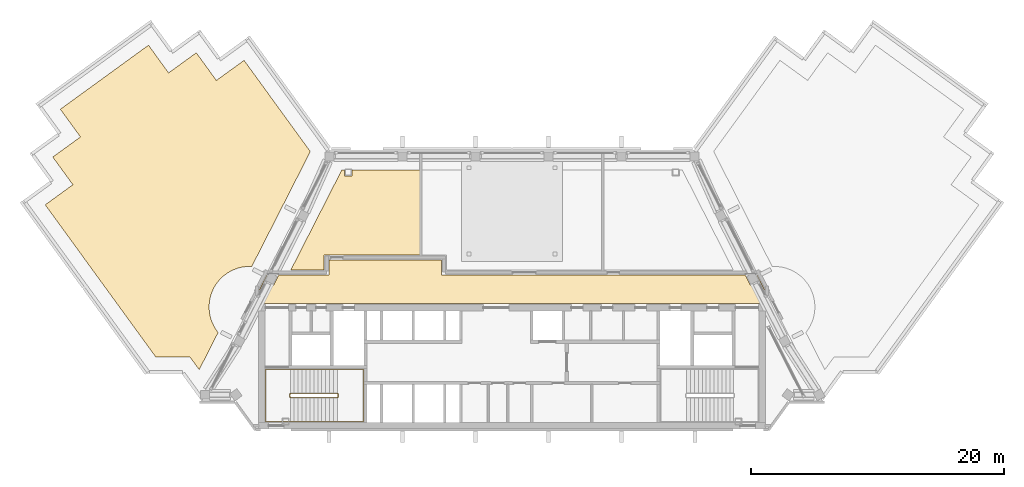
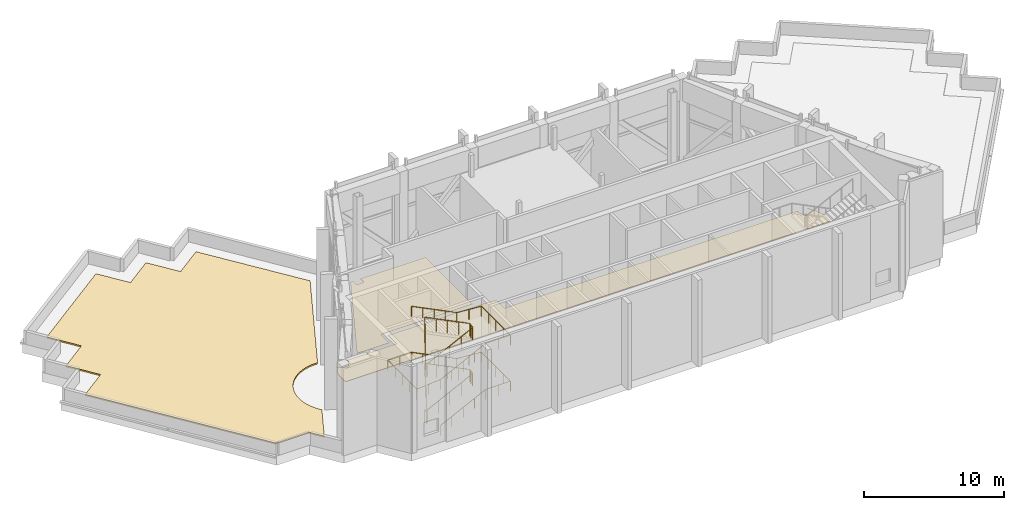
# One storey, part 12 of 14: 3 coverings, 2 railings.
"""IFC4 building model written with IfcOpenShell, lengths in metres."""

from ifc_helpers import new_model, si_unit, direction, frame, origin, origin_2d, place, context, subcontext, project, spatial, polyline, circle, outline, extrude, material, layer, layer_set, type_object, element, save


model = new_model("IFC4")

# Units and contexts
model_context = context("Model", 3, precision=1e-05, world=origin(), true_north=direction((0.0, 1.0)))
body_context = subcontext(model_context, "Body", "Model", "MODEL_VIEW")
ifc_project = project(units=[si_unit("LENGTHUNIT", "METRE"), si_unit("AREAUNIT", "SQUARE_METRE"), si_unit("VOLUMEUNIT", "CUBIC_METRE"), si_unit("PLANEANGLEUNIT", "RADIAN"), si_unit("MASSUNIT", "GRAM", prefix="KILO")], contexts=[model_context])

# Site, building, storey
site_placement = place(None, origin())
site = spatial("IfcSite", under=ifc_project, at=site_placement, CompositionType="ELEMENT")
building_placement = place(site_placement, origin())
building = spatial("IfcBuilding", under=site, at=building_placement, Name="Quipu Civic Tower", CompositionType="ELEMENT")
storey_placement = place(building_placement, frame((0.0, 0.0, 355.0)))
storey = spatial("IfcBuildingStorey", under=building, at=storey_placement, Name="L83", CompositionType="ELEMENT", Elevation=355.0)

# Coverings
ifc_material_1 = material(Name="Carpet tile on raised access floor")
ifc_layer_1 = layer(ifc_material_1, 0.02001953125)
ifc_layer_set_1 = layer_set([ifc_layer_1], Name="Carpet tile on raised access floor")
covering_type_1 = type_object("IfcCoveringType", Name="Carpet tile floor finish 20", PredefinedType="FLOORING", material=ifc_layer_set_1)
covering_1_placement = place(storey_placement, origin())
element("IfcCovering", 1, at=covering_1_placement, inside=storey, type_object=covering_type_1, Name="Carpet tile floor finish 20", PredefinedType="FLOORING", context=body_context, shape_type="SweptSolid", body=[
    extrude(outline(polyline([(-17.464111328125, 1.52001953125), (-13.43310546875, 9.429931640625), (-13.219970703125, 9.429931640625), (-13.219970703125, 8.989013671875), (-13.219970703125, 8.98388671875), (-13.218994140625, 8.97900390625), (-13.218017578125, 8.97412109375), (-13.216064453125, 8.969970703125), (-13.214111328125, 8.965087890625), (-13.2119140625, 8.9609375), (-13.208984375, 8.95703125), (-13.205078125, 8.952880859375), (-13.201904296875, 8.949951171875), (-13.197998046875, 8.947021484375), (-13.194091796875, 8.945068359375), (-13.18896484375, 8.943115234375), (-13.18408203125, 8.94091796875), (-13.179931640625, 8.93994140625), (-13.175048828125, 8.93896484375), (-13.169921875, 8.93896484375), (-12.662109375, 8.93896484375), (-12.656982421875, 8.93896484375), (-12.652099609375, 8.93994140625), (-12.64697265625, 8.94091796875), (-12.64306640625, 8.943115234375), (-12.637939453125, 8.945068359375), (-12.634033203125, 8.947021484375), (-12.6298828125, 8.949951171875), (-12.626953125, 8.952880859375), (-12.623046875, 8.95703125), (-12.6201171875, 8.9609375), (-12.617919921875, 8.965087890625), (-12.615966796875, 8.969970703125), (-12.614013671875, 8.97412109375), (-12.613037109375, 8.97900390625), (-12.612060546875, 8.98388671875), (-12.612060546875, 8.989013671875), (-12.612060546875, 9.429931640625), (-7.26806640625, 9.429931640625), (-7.26806640625, 2.719970703125), (-14.818115234375, 2.719970703125), (-14.820068359375, 1.52001953125), (-17.464111328125, 1.52001953125)])), origin(), (0.0, 0.0, 1.0), 0.02001953125),
])
ifc_material_2 = material(Name="Roof membrane and gravel ballast")
ifc_layer_2 = layer(ifc_material_2, 0.1201171875)
ifc_layer_set_2 = layer_set([ifc_layer_2], Name="Roof membrane and gravel ballast")
covering_type_2 = type_object("IfcCoveringType", Name="Roof membrane and ballast build-up", PredefinedType="ROOFING", material=ifc_layer_set_2)
covering_2_placement = place(storey_placement, origin())
element("IfcCovering", 2, at=covering_2_placement, inside=storey, type_object=covering_type_2, Name="Roof build-up L83 1", PredefinedType="ROOFING", context=body_context, shape_type="SweptSolid", body=[
    extrude(outline(polyline([(-28.116455078125, -5.331298828125), (-36.840576171875, 6.676513671875), (-34.65625, 8.263427734375), (-36.243408203125, 10.44775390625), (-34.058837890625, 12.034912109375), (-35.64599609375, 14.21923828125), (-28.6884765625, 19.274169921875), (-27.101318359375, 17.08984375), (-24.9169921875, 18.6767578125), (-23.330078125, 16.492431640625), (-21.1455078125, 18.07958984375), (-15.915283203125, 10.88037109375), (-20.538330078125, 1.806884765625), (-20.7060546875, 1.81494140625), (-21.019775390625, 1.799560546875), (-21.330322265625, 1.75341796875), (-21.635009765625, 1.67724609375), (-21.9306640625, 1.5712890625), (-22.214599609375, 1.43701171875), (-22.48388671875, 1.275634765625), (-22.736083984375, 1.088623046875), (-22.96875, 0.877685546875), (-23.1796875, 0.64501953125), (-23.36669921875, 0.392822265625), (-23.528076171875, 0.12353515625), (-23.662353515625, -0.160400390625), (-23.768310546875, -0.4560546875), (-23.844482421875, -0.7607421875), (-23.890625, -1.0712890625), (-23.906005859375, -1.385009765625), (-23.890625, -1.69873046875), (-23.844482421875, -2.00927734375), (-23.768310546875, -2.31396484375), (-23.662353515625, -2.609619140625), (-23.528076171875, -2.8935546875), (-23.36669921875, -3.162841796875), (-23.191162109375, -3.3994140625), (-24.68701171875, -6.335205078125), (-25.41650390625, -5.331298828125), (-28.116455078125, -5.331298828125)])), origin(), (0.0, 0.0, 1.0), 0.1201171875),
])

# Railings
ifc_material_3 = material(Name="Stainless steel", Category="steel")
railing_type_1 = type_object("IfcRailingType", Name="Stair guard 1100", PredefinedType="GUARDRAIL", material=ifc_material_3)
railing_1_placement = place(storey_placement, frame((-17.5, -8.550048828125, 0.15380859375)))
element("IfcRailing", 3, at=railing_1_placement, inside=storey, type_object=railing_type_1, Name="Stair 1 guard", PredefinedType="GUARDRAIL", context=body_context, shape_type="SweptSolid", body=[
    extrude(circle(Radius=0.02392578125, at=origin_2d()), frame((0.0, 0.0, 1.076171875), z_axis=(0.895751851347, 0.0, 0.444554407028), x_axis=(0.0, 1.0, 0.0)), (0.0, 0.0, 1.0), 4.15283203125),
    extrude(circle(Radius=0.02392578125, at=origin_2d()), frame((3.719970703125, 0.0, 2.92236328125), z_axis=(0.707106781187, 0.707106781187, 0.0), x_axis=(-0.707106781187, 0.707106781187, 0.0)), (0.0, 0.0, 1.0), 0.07080078125),
    extrude(circle(Radius=0.02392578125, at=origin_2d()), frame((3.77001953125, 0.050048828125, 2.92236328125), z_axis=(0.0, 1.0, 0.0), x_axis=(-1.0, 0.0, 0.0)), (0.0, 0.0, 1.0), 0.25),
    extrude(circle(Radius=0.02392578125, at=origin_2d()), frame((3.77001953125, 0.300048828125, 2.92236328125), z_axis=(-0.295599637079, 0.295599637079, 0.908428152975), x_axis=(-0.707106781187, -0.707106781187, 0.0)), (0.0, 0.0, 1.0), 0.16943359375),
    extrude(circle(Radius=0.02392578125, at=origin_2d()), frame((3.719970703125, 0.35009765625, 3.076171875), z_axis=(-0.895751851347, 0.0, 0.444554407028), x_axis=(0.0, -1.0, 0.0)), (0.0, 0.0, 1.0), 4.15283203125),
    extrude(circle(Radius=0.02392578125, at=origin_2d()), frame((0.0, 0.35009765625, 4.92236328125), z_axis=(-0.164529134168, -0.986372223864, 0.0), x_axis=(0.986372223864, -0.164529134168, 0.0)), (0.0, 0.0, 1.0), 0.30419921875),
    extrude(circle(Radius=0.02392578125, at=origin_2d()), frame((-0.050048828125, 0.050048828125, 4.92236328125), z_axis=(0.0, 1.0, 0.0), x_axis=(-1.0, 0.0, 0.0)), (0.0, 0.0, 1.0), 0.25),
    extrude(circle(Radius=0.02392578125, at=origin_2d()), frame((-0.050048828125, 0.300048828125, 4.92236328125), z_axis=(0.146827419986, -0.880248288601, 0.451225729714), x_axis=(0.986372223864, 0.164529134168, 0.0)), (0.0, 0.0, 1.0), 0.3408203125),
    extrude(circle(Radius=0.02392578125, at=origin_2d()), frame((0.0, 0.0, 5.076171875), z_axis=(0.895751851347, 0.0, 0.444554407028), x_axis=(0.0, 1.0, 0.0)), (0.0, 0.0, 1.0), 4.15283203125),
    extrude(circle(Radius=0.02392578125, at=origin_2d()), frame((3.719970703125, 0.0, 6.92236328125), z_axis=(0.707106781187, 0.707106781187, 0.0), x_axis=(-0.707106781187, 0.707106781187, 0.0)), (0.0, 0.0, 1.0), 0.07080078125),
    extrude(circle(Radius=0.02392578125, at=origin_2d()), frame((3.77001953125, 0.050048828125, 6.92236328125), z_axis=(0.0, 1.0, 0.0), x_axis=(-1.0, 0.0, 0.0)), (0.0, 0.0, 1.0), 0.25),
    extrude(circle(Radius=0.02392578125, at=origin_2d()), frame((3.77001953125, 0.300048828125, 6.92236328125), z_axis=(-0.295599637079, 0.295599637079, 0.908428152975), x_axis=(-0.707106781187, -0.707106781187, 0.0)), (0.0, 0.0, 1.0), 0.16943359375),
    extrude(circle(Radius=0.02392578125, at=origin_2d()), frame((3.719970703125, 0.35009765625, 7.076171875), z_axis=(-0.895751851347, 0.0, 0.444554407028), x_axis=(0.0, -1.0, 0.0)), (0.0, 0.0, 1.0), 4.15283203125),
    extrude(circle(Radius=0.02392578125, at=origin_2d()), frame((0.0, 0.35009765625, 8.92236328125), z_axis=(-0.006251585731, -0.037479018846, -0.999277859668), x_axis=(0.986372223864, -0.164529134168, 0.0)), (0.0, 0.0, 1.0), 8.005859375),
    extrude(circle(Radius=0.02392578125, at=origin_2d()), frame((-0.050048828125, 0.050048828125, 0.92236328125), z_axis=(0.0, 1.0, 0.0), x_axis=(-1.0, 0.0, 0.0)), (0.0, 0.0, 1.0), 0.25),
    extrude(circle(Radius=0.02099609375, at=origin_2d()), origin(), (0.0, 0.0, 1.0), 1.052001953125),
    extrude(circle(Radius=0.02099609375, at=origin_2d()), frame((0.929931640625, 0.0, 0.46142578125)), (0.0, 0.0, 1.0), 1.052001953125),
    extrude(circle(Radius=0.02099609375, at=origin_2d()), frame((1.85986328125, 0.0, 0.923095703125)), (0.0, 0.0, 1.0), 1.052001953125),
    extrude(circle(Radius=0.02099609375, at=origin_2d()), frame((2.7900390625, 0.0, 1.384765625)), (0.0, 0.0, 1.0), 1.052001953125),
    extrude(circle(Radius=0.02099609375, at=origin_2d()), frame((3.719970703125, 0.0, 1.84619140625)), (0.0, 0.0, 1.0), 1.052001953125),
    extrude(circle(Radius=0.02099609375, at=origin_2d()), frame((3.77001953125, 0.050048828125, 1.84619140625)), (0.0, 0.0, 1.0), 1.052001953125),
    extrude(circle(Radius=0.02099609375, at=origin_2d()), frame((3.77001953125, 0.300048828125, 1.84619140625)), (0.0, 0.0, 1.0), 1.052001953125),
    extrude(circle(Radius=0.02099609375, at=origin_2d()), frame((3.719970703125, 0.35009765625, 2.0)), (0.0, 0.0, 1.0), 1.052001953125),
    extrude(circle(Radius=0.02099609375, at=origin_2d()), frame((2.7900390625, 0.35009765625, 2.46142578125)), (0.0, 0.0, 1.0), 1.052001953125),
    extrude(circle(Radius=0.02099609375, at=origin_2d()), frame((1.85986328125, 0.35009765625, 2.923095703125)), (0.0, 0.0, 1.0), 1.052001953125),
    extrude(circle(Radius=0.02099609375, at=origin_2d()), frame((0.929931640625, 0.35009765625, 3.384765625)), (0.0, 0.0, 1.0), 1.052001953125),
    extrude(circle(Radius=0.02099609375, at=origin_2d()), frame((0.0, 0.35009765625, 3.84619140625)), (0.0, 0.0, 1.0), 1.052001953125),
    extrude(circle(Radius=0.02099609375, at=origin_2d()), frame((-0.050048828125, 0.050048828125, 3.84619140625)), (0.0, 0.0, 1.0), 1.052001953125),
    extrude(circle(Radius=0.02099609375, at=origin_2d()), frame((-0.050048828125, 0.300048828125, 3.84619140625)), (0.0, 0.0, 1.0), 1.052001953125),
    extrude(circle(Radius=0.02099609375, at=origin_2d()), frame((0.0, 0.0, 4.0)), (0.0, 0.0, 1.0), 1.052001953125),
    extrude(circle(Radius=0.02099609375, at=origin_2d()), frame((0.929931640625, 0.0, 4.46142578125)), (0.0, 0.0, 1.0), 1.052001953125),
    extrude(circle(Radius=0.02099609375, at=origin_2d()), frame((1.85986328125, 0.0, 4.923095703125)), (0.0, 0.0, 1.0), 1.052001953125),
    extrude(circle(Radius=0.02099609375, at=origin_2d()), frame((2.7900390625, 0.0, 5.384765625)), (0.0, 0.0, 1.0), 1.052001953125),
    extrude(circle(Radius=0.02099609375, at=origin_2d()), frame((3.719970703125, 0.0, 5.84619140625)), (0.0, 0.0, 1.0), 1.052001953125),
    extrude(circle(Radius=0.02099609375, at=origin_2d()), frame((3.77001953125, 0.050048828125, 5.84619140625)), (0.0, 0.0, 1.0), 1.052001953125),
    extrude(circle(Radius=0.02099609375, at=origin_2d()), frame((3.77001953125, 0.300048828125, 5.84619140625)), (0.0, 0.0, 1.0), 1.052001953125),
    extrude(circle(Radius=0.02099609375, at=origin_2d()), frame((3.719970703125, 0.35009765625, 6.0)), (0.0, 0.0, 1.0), 1.052001953125),
    extrude(circle(Radius=0.02099609375, at=origin_2d()), frame((2.7900390625, 0.35009765625, 6.46142578125)), (0.0, 0.0, 1.0), 1.052001953125),
    extrude(circle(Radius=0.02099609375, at=origin_2d()), frame((1.85986328125, 0.35009765625, 6.923095703125)), (0.0, 0.0, 1.0), 1.052001953125),
    extrude(circle(Radius=0.02099609375, at=origin_2d()), frame((0.929931640625, 0.35009765625, 7.384765625)), (0.0, 0.0, 1.0), 1.052001953125),
    extrude(circle(Radius=0.02099609375, at=origin_2d()), frame((0.0, 0.35009765625, 7.84619140625)), (0.0, 0.0, 1.0), 1.052001953125),
    extrude(circle(Radius=0.02099609375, at=origin_2d()), frame((-0.007080078125, 0.30712890625, 6.703369140625)), (0.0, 0.0, 1.0), 1.052001953125),
    extrude(circle(Radius=0.02099609375, at=origin_2d()), frame((-0.014404296875, 0.264404296875, 5.560546875)), (0.0, 0.0, 1.0), 1.052001953125),
    extrude(circle(Radius=0.02099609375, at=origin_2d()), frame((-0.021484375, 0.221435546875, 4.417724609375)), (0.0, 0.0, 1.0), 1.052001953125),
    extrude(circle(Radius=0.02099609375, at=origin_2d()), frame((-0.028564453125, 0.1787109375, 3.274658203125)), (0.0, 0.0, 1.0), 1.052001953125),
    extrude(circle(Radius=0.02099609375, at=origin_2d()), frame((-0.03564453125, 0.1357421875, 2.1318359375)), (0.0, 0.0, 1.0), 1.052001953125),
    extrude(circle(Radius=0.02099609375, at=origin_2d()), frame((-0.04296875, 0.093017578125, 0.989013671875)), (0.0, 0.0, 1.0), 1.052001953125),
    extrude(circle(Radius=0.02099609375, at=origin_2d()), frame((-0.050048828125, 0.050048828125, -0.15380859375)), (0.0, 0.0, 1.0), 1.052001953125),
    extrude(circle(Radius=0.02099609375, at=origin_2d()), frame((-0.050048828125, 0.300048828125, -0.15380859375)), (0.0, 0.0, 1.0), 1.052001953125),
])
ifc_material_4 = material(Name="Stainless steel", Category="steel")
railing_type_2 = type_object("IfcRailingType", Name="Stair handrail", PredefinedType="HANDRAIL", material=ifc_material_4)
railing_2_placement = place(storey_placement, frame((-17.5, -10.449951171875, 0.15380859375)))
element("IfcRailing", 4, at=railing_2_placement, inside=storey, type_object=railing_type_2, Name="Stair 1 handrail", PredefinedType="HANDRAIL", context=body_context, shape_type="SweptSolid", body=[
    extrude(circle(Radius=0.02392578125, at=origin_2d()), frame((0.0, 0.0, 0.8759765625), z_axis=(0.895751851347, 0.0, 0.444554407028), x_axis=(0.0, 1.0, 0.0)), (0.0, 0.0, 1.0), 4.15283203125),
    extrude(circle(Radius=0.02392578125, at=origin_2d()), frame((3.719970703125, 0.0, 2.72216796875), z_axis=(1.0, 0.0, 0.0), x_axis=(0.0, 1.0, 0.0)), (0.0, 0.0, 1.0), 2.030029296875),
    extrude(circle(Radius=0.02392578125, at=origin_2d()), frame((5.75, 0.0, 2.72216796875), z_axis=(0.0, 1.0, 0.0), x_axis=(-1.0, 0.0, 0.0)), (0.0, 0.0, 1.0), 4.14990234375),
    extrude(circle(Radius=0.02392578125, at=origin_2d()), frame((5.75, 4.14990234375, 2.72216796875), z_axis=(-0.997142003663, 0.0, 0.075550145798), x_axis=(0.0, -1.0, 0.0)), (0.0, 0.0, 1.0), 2.035888671875),
    extrude(circle(Radius=0.02392578125, at=origin_2d()), frame((3.719970703125, 4.14990234375, 2.8759765625), z_axis=(-0.895751851347, 0.0, 0.444554407028), x_axis=(0.0, -1.0, 0.0)), (0.0, 0.0, 1.0), 4.15283203125),
    extrude(circle(Radius=0.02392578125, at=origin_2d()), frame((0.0, 4.14990234375, 4.72216796875), z_axis=(-1.0, 0.0, 0.0), x_axis=(0.0, -1.0, 0.0)), (0.0, 0.0, 1.0), 1.949951171875),
    extrude(circle(Radius=0.02392578125, at=origin_2d()), frame((-1.949951171875, 4.14990234375, 4.72216796875), z_axis=(0.0, -1.0, 0.0), x_axis=(1.0, 0.0, 0.0)), (0.0, 0.0, 1.0), 4.14990234375),
    extrude(circle(Radius=0.02392578125, at=origin_2d()), frame((-1.949951171875, 0.0, 4.72216796875), z_axis=(0.99690355813, 0.0, 0.078633935348), x_axis=(0.0, 1.0, 0.0)), (0.0, 0.0, 1.0), 1.9560546875),
    extrude(circle(Radius=0.02392578125, at=origin_2d()), frame((0.0, 0.0, 4.8759765625), z_axis=(0.895751851347, 0.0, 0.444554407028), x_axis=(0.0, 1.0, 0.0)), (0.0, 0.0, 1.0), 4.15283203125),
    extrude(circle(Radius=0.02392578125, at=origin_2d()), frame((3.719970703125, 0.0, 6.72216796875), z_axis=(1.0, 0.0, 0.0), x_axis=(0.0, 1.0, 0.0)), (0.0, 0.0, 1.0), 2.030029296875),
    extrude(circle(Radius=0.02392578125, at=origin_2d()), frame((5.75, 0.0, 6.72216796875), z_axis=(0.0, 1.0, 0.0), x_axis=(-1.0, 0.0, 0.0)), (0.0, 0.0, 1.0), 4.14990234375),
    extrude(circle(Radius=0.02392578125, at=origin_2d()), frame((5.75, 4.14990234375, 6.72216796875), z_axis=(-0.997142003663, 0.0, 0.075550145798), x_axis=(0.0, -1.0, 0.0)), (0.0, 0.0, 1.0), 2.035888671875),
    extrude(circle(Radius=0.02392578125, at=origin_2d()), frame((3.719970703125, 4.14990234375, 6.8759765625), z_axis=(-0.895751851347, 0.0, 0.444554407028), x_axis=(0.0, -1.0, 0.0)), (0.0, 0.0, 1.0), 4.15283203125),
    extrude(circle(Radius=0.02099609375, at=origin_2d()), origin(), (0.0, 0.0, 1.0), 0.851806640625),
    extrude(circle(Radius=0.02099609375, at=origin_2d()), frame((0.929931640625, 0.0, 0.46142578125)), (0.0, 0.0, 1.0), 0.851806640625),
    extrude(circle(Radius=0.02099609375, at=origin_2d()), frame((1.85986328125, 0.0, 0.923095703125)), (0.0, 0.0, 1.0), 0.851806640625),
    extrude(circle(Radius=0.02099609375, at=origin_2d()), frame((2.7900390625, 0.0, 1.384765625)), (0.0, 0.0, 1.0), 0.851806640625),
    extrude(circle(Radius=0.02099609375, at=origin_2d()), frame((3.719970703125, 0.0, 1.84619140625)), (0.0, 0.0, 1.0), 0.851806640625),
    extrude(circle(Radius=0.02099609375, at=origin_2d()), frame((4.73486328125, 0.0, 1.84619140625)), (0.0, 0.0, 1.0), 0.851806640625),
    extrude(circle(Radius=0.02099609375, at=origin_2d()), frame((5.75, 0.0, 1.84619140625)), (0.0, 0.0, 1.0), 0.851806640625),
    extrude(circle(Radius=0.02099609375, at=origin_2d()), frame((5.75, 1.03759765625, 1.84619140625)), (0.0, 0.0, 1.0), 0.851806640625),
    extrude(circle(Radius=0.02099609375, at=origin_2d()), frame((5.75, 2.074951171875, 1.84619140625)), (0.0, 0.0, 1.0), 0.851806640625),
    extrude(circle(Radius=0.02099609375, at=origin_2d()), frame((5.75, 3.1123046875, 1.84619140625)), (0.0, 0.0, 1.0), 0.851806640625),
    extrude(circle(Radius=0.02099609375, at=origin_2d()), frame((5.75, 4.14990234375, 1.84619140625)), (0.0, 0.0, 1.0), 0.851806640625),
    extrude(circle(Radius=0.02099609375, at=origin_2d()), frame((4.73486328125, 4.14990234375, 1.923095703125)), (0.0, 0.0, 1.0), 0.851806640625),
    extrude(circle(Radius=0.02099609375, at=origin_2d()), frame((3.719970703125, 4.14990234375, 2.0)), (0.0, 0.0, 1.0), 0.851806640625),
    extrude(circle(Radius=0.02099609375, at=origin_2d()), frame((2.7900390625, 4.14990234375, 2.46142578125)), (0.0, 0.0, 1.0), 0.851806640625),
    extrude(circle(Radius=0.02099609375, at=origin_2d()), frame((1.85986328125, 4.14990234375, 2.923095703125)), (0.0, 0.0, 1.0), 0.851806640625),
    extrude(circle(Radius=0.02099609375, at=origin_2d()), frame((0.929931640625, 4.14990234375, 3.384765625)), (0.0, 0.0, 1.0), 0.851806640625),
    extrude(circle(Radius=0.02099609375, at=origin_2d()), frame((0.0, 4.14990234375, 3.84619140625)), (0.0, 0.0, 1.0), 0.851806640625),
    extrude(circle(Radius=0.02099609375, at=origin_2d()), frame((-0.97509765625, 4.14990234375, 3.84619140625)), (0.0, 0.0, 1.0), 0.851806640625),
    extrude(circle(Radius=0.02099609375, at=origin_2d()), frame((-1.949951171875, 4.14990234375, 3.84619140625)), (0.0, 0.0, 1.0), 0.851806640625),
    extrude(circle(Radius=0.02099609375, at=origin_2d()), frame((-1.949951171875, 3.1123046875, 3.84619140625)), (0.0, 0.0, 1.0), 0.851806640625),
    extrude(circle(Radius=0.02099609375, at=origin_2d()), frame((-1.949951171875, 2.074951171875, 3.84619140625)), (0.0, 0.0, 1.0), 0.851806640625),
    extrude(circle(Radius=0.02099609375, at=origin_2d()), frame((-1.949951171875, 1.03759765625, 3.84619140625)), (0.0, 0.0, 1.0), 0.851806640625),
    extrude(circle(Radius=0.02099609375, at=origin_2d()), frame((-1.949951171875, 0.0, 3.84619140625)), (0.0, 0.0, 1.0), 0.851806640625),
    extrude(circle(Radius=0.02099609375, at=origin_2d()), frame((-0.97509765625, 0.0, 3.923095703125)), (0.0, 0.0, 1.0), 0.851806640625),
    extrude(circle(Radius=0.02099609375, at=origin_2d()), frame((0.0, 0.0, 4.0)), (0.0, 0.0, 1.0), 0.851806640625),
    extrude(circle(Radius=0.02099609375, at=origin_2d()), frame((0.929931640625, 0.0, 4.46142578125)), (0.0, 0.0, 1.0), 0.851806640625),
    extrude(circle(Radius=0.02099609375, at=origin_2d()), frame((1.85986328125, 0.0, 4.923095703125)), (0.0, 0.0, 1.0), 0.851806640625),
    extrude(circle(Radius=0.02099609375, at=origin_2d()), frame((2.7900390625, 0.0, 5.384765625)), (0.0, 0.0, 1.0), 0.851806640625),
    extrude(circle(Radius=0.02099609375, at=origin_2d()), frame((3.719970703125, 0.0, 5.84619140625)), (0.0, 0.0, 1.0), 0.851806640625),
    extrude(circle(Radius=0.02099609375, at=origin_2d()), frame((4.73486328125, 0.0, 5.84619140625)), (0.0, 0.0, 1.0), 0.851806640625),
    extrude(circle(Radius=0.02099609375, at=origin_2d()), frame((5.75, 0.0, 5.84619140625)), (0.0, 0.0, 1.0), 0.851806640625),
    extrude(circle(Radius=0.02099609375, at=origin_2d()), frame((5.75, 1.03759765625, 5.84619140625)), (0.0, 0.0, 1.0), 0.851806640625),
    extrude(circle(Radius=0.02099609375, at=origin_2d()), frame((5.75, 2.074951171875, 5.84619140625)), (0.0, 0.0, 1.0), 0.851806640625),
    extrude(circle(Radius=0.02099609375, at=origin_2d()), frame((5.75, 3.1123046875, 5.84619140625)), (0.0, 0.0, 1.0), 0.851806640625),
    extrude(circle(Radius=0.02099609375, at=origin_2d()), frame((5.75, 4.14990234375, 5.84619140625)), (0.0, 0.0, 1.0), 0.851806640625),
    extrude(circle(Radius=0.02099609375, at=origin_2d()), frame((4.73486328125, 4.14990234375, 5.923095703125)), (0.0, 0.0, 1.0), 0.851806640625),
    extrude(circle(Radius=0.02099609375, at=origin_2d()), frame((3.719970703125, 4.14990234375, 6.0)), (0.0, 0.0, 1.0), 0.851806640625),
    extrude(circle(Radius=0.02099609375, at=origin_2d()), frame((2.7900390625, 4.14990234375, 6.46142578125)), (0.0, 0.0, 1.0), 0.851806640625),
    extrude(circle(Radius=0.02099609375, at=origin_2d()), frame((1.85986328125, 4.14990234375, 6.923095703125)), (0.0, 0.0, 1.0), 0.851806640625),
    extrude(circle(Radius=0.02099609375, at=origin_2d()), frame((0.929931640625, 4.14990234375, 7.384765625)), (0.0, 0.0, 1.0), 0.851806640625),
    extrude(circle(Radius=0.02099609375, at=origin_2d()), frame((0.0, 4.14990234375, 7.84619140625)), (0.0, 0.0, 1.0), 0.851806640625),
])

# Covering
ifc_material_5 = material(Name="Terrazzo floor finish")
ifc_layer_3 = layer(ifc_material_5, 0.0400390625)
ifc_layer_set_3 = layer_set([ifc_layer_3], Name="Terrazzo floor finish")
covering_type_3 = type_object("IfcCoveringType", Name="Terrazzo floor finish 40", PredefinedType="FLOORING", material=ifc_layer_set_3)
covering_3_placement = place(storey_placement, origin())
element("IfcCovering", 5, at=covering_3_placement, inside=storey, type_object=covering_type_3, Name="Terrazzo floor finish 40", PredefinedType="FLOORING", context=body_context, shape_type="SweptSolid", body=[
    extrude(outline(polyline([(-19.929931640625, -0.01708984375), (-19.345947265625, 1.1298828125), (-19.31201171875, 1.1298828125), (-19.512939453125, 0.735107421875), (-19.51611328125, 0.73095703125), (-19.51708984375, 0.72607421875), (-19.51806640625, 0.720947265625), (-19.51904296875, 0.716064453125), (-19.51904296875, 0.7109375), (-19.51904296875, 0.70703125), (-19.51806640625, 0.701904296875), (-19.51708984375, 0.697021484375), (-19.514892578125, 0.69189453125), (-19.512939453125, 0.68798828125), (-19.510009765625, 0.68408203125), (-19.507080078125, 0.679931640625), (-19.50390625, 0.676025390625), (-19.5, 0.673095703125), (-19.49609375, 0.669921875), (-19.491943359375, 0.66796875), (-18.867919921875, 0.35009765625), (-18.863037109375, 0.347900390625), (-18.85888671875, 0.346923828125), (-18.85400390625, 0.344970703125), (-18.84912109375, 0.344970703125), (-18.843994140625, 0.344970703125), (-18.839111328125, 0.344970703125), (-18.8349609375, 0.345947265625), (-18.830078125, 0.346923828125), (-18.824951171875, 0.34912109375), (-18.821044921875, 0.35107421875), (-18.81689453125, 0.35400390625), (-18.81298828125, 0.35693359375), (-18.80908203125, 0.360107421875), (-18.805908203125, 0.364013671875), (-18.802978515625, 0.367919921875), (-18.801025390625, 0.3720703125), (-18.48291015625, 0.99609375), (-18.48095703125, 1.0), (-18.47900390625, 1.0048828125), (-18.47802734375, 1.010009765625), (-18.47802734375, 1.013916015625), (-18.47705078125, 1.01904296875), (-18.47802734375, 1.02392578125), (-18.47900390625, 1.029052734375), (-18.47998046875, 1.033935546875), (-18.48193359375, 1.0380859375), (-18.48388671875, 1.04296875), (-18.486083984375, 1.047119140625), (-18.489013671875, 1.051025390625), (-18.492919921875, 1.053955078125), (-18.49609375, 1.05810546875), (-18.5, 1.06005859375), (-18.5048828125, 1.06298828125), (-18.635986328125, 1.1298828125), (-14.429931640625, 1.1298828125), (-14.429931640625, 2.330078125), (-5.570068359375, 2.330078125), (-5.570068359375, 1.1298828125), (18.635986328125, 1.1298828125), (18.5048828125, 1.06298828125), (18.5, 1.06005859375), (18.49609375, 1.05810546875), (18.492919921875, 1.053955078125), (18.489013671875, 1.051025390625), (18.486083984375, 1.047119140625), (18.48388671875, 1.04296875), (18.48193359375, 1.0380859375), (18.47998046875, 1.033935546875), (18.47900390625, 1.029052734375), (18.47802734375, 1.02392578125), (18.47705078125, 1.01904296875), (18.47802734375, 1.013916015625), (18.47802734375, 1.010009765625), (18.47900390625, 1.0048828125), (18.48095703125, 1.0), (18.48291015625, 0.99609375), (18.801025390625, 0.3720703125), (18.802978515625, 0.367919921875), (18.805908203125, 0.364013671875), (18.80908203125, 0.360107421875), (18.81298828125, 0.35693359375), (18.81689453125, 0.35400390625), (18.821044921875, 0.35107421875), (18.824951171875, 0.34912109375), (18.830078125, 0.346923828125), (18.8349609375, 0.345947265625), (18.839111328125, 0.344970703125), (18.843994140625, 0.344970703125), (18.84912109375, 0.344970703125), (18.85400390625, 0.344970703125), (18.85888671875, 0.346923828125), (18.863037109375, 0.347900390625), (18.867919921875, 0.35009765625), (19.491943359375, 0.66796875), (19.49609375, 0.669921875), (19.5, 0.673095703125), (19.50390625, 0.676025390625), (19.507080078125, 0.679931640625), (19.510009765625, 0.68408203125), (19.512939453125, 0.68798828125), (19.514892578125, 0.69189453125), (19.51708984375, 0.697021484375), (19.51806640625, 0.701904296875), (19.51904296875, 0.70703125), (19.51904296875, 0.7109375), (19.51904296875, 0.716064453125), (19.51806640625, 0.720947265625), (19.51708984375, 0.72607421875), (19.51611328125, 0.73095703125), (19.512939453125, 0.735107421875), (19.31201171875, 1.1298828125), (19.345947265625, 1.1298828125), (19.929931640625, -0.01708984375), (19.929931640625, -1.1298828125), (-19.929931640625, -1.1298828125), (-19.929931640625, -0.01708984375)])), origin(), (0.0, 0.0, 1.0), 0.0400390625),
])

save(model, "model.ifc")
